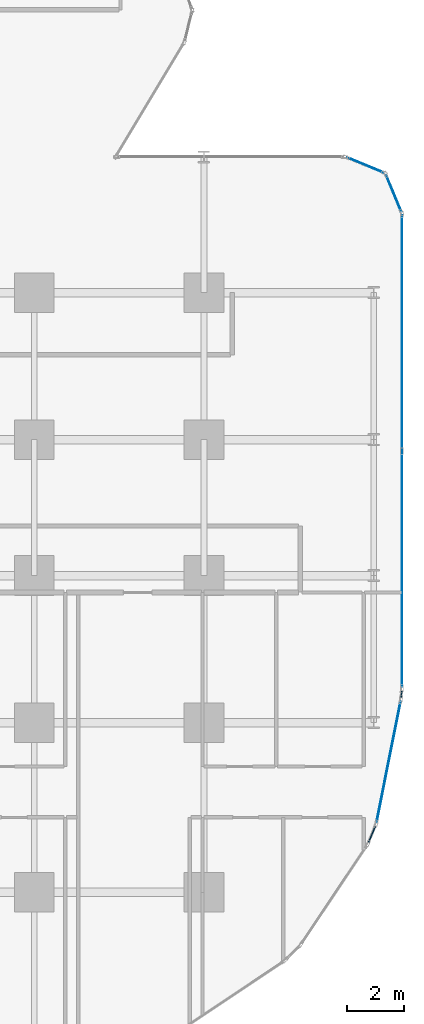
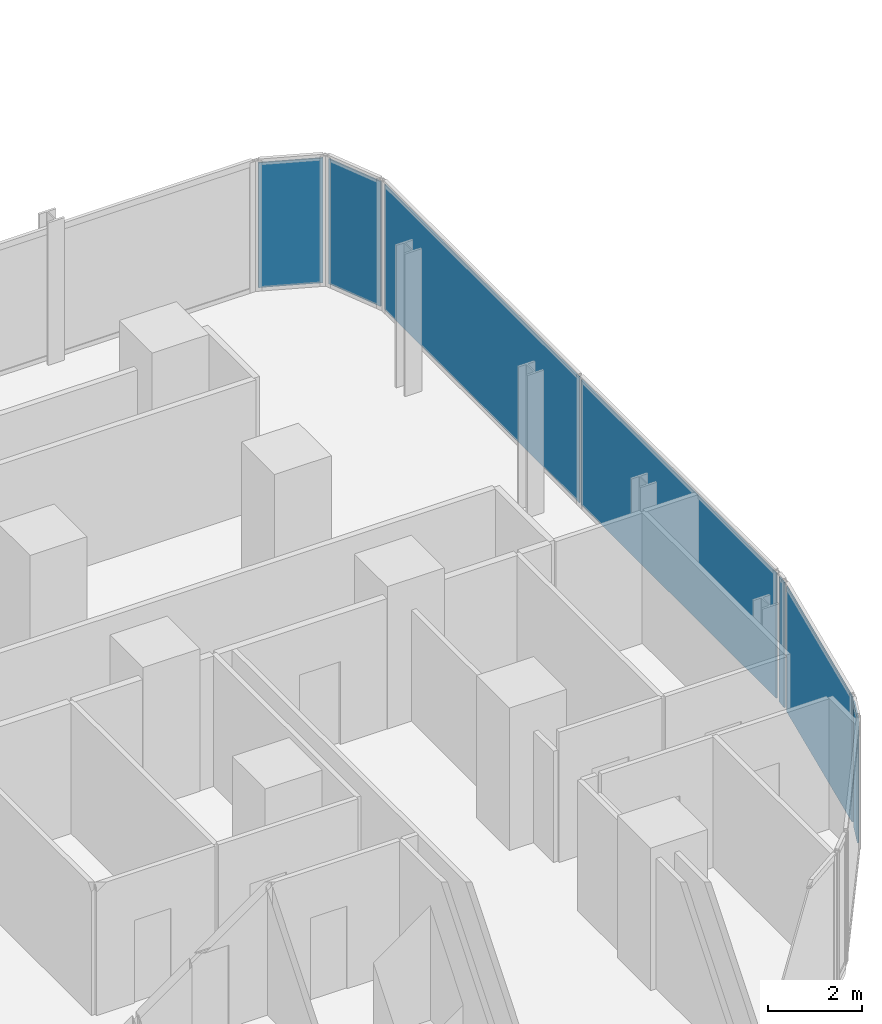
# One storey, part 25 of 33: 7 plates, 6 elements without a shape of their own.
"""IFC4 building model written with IfcOpenShell, lengths in metres."""

from ifc_helpers import new_model, si_unit, direction, frame, origin, origin_2d, place, context, subcontext, project, spatial, rectangle, extrude, material, layer, layer_set, type_object, element, aggregate, save


model = new_model("IFC4")

# Units and contexts
model_context = context("Model", 3, precision=1e-05, world=origin(), true_north=direction((0.0, 1.0)))
body_context = subcontext(model_context, "Body", "Model", "MODEL_VIEW")
ifc_project = project(units=[si_unit("LENGTHUNIT", "METRE"), si_unit("AREAUNIT", "SQUARE_METRE"), si_unit("VOLUMEUNIT", "CUBIC_METRE"), si_unit("PLANEANGLEUNIT", "RADIAN"), si_unit("MASSUNIT", "GRAM", prefix="KILO")], contexts=[model_context])

# Site, building, storey
site_placement = place(None, origin())
site = spatial("IfcSite", under=ifc_project, at=site_placement, CompositionType="ELEMENT")
building_placement = place(site_placement, origin())
building = spatial("IfcBuilding", under=site, at=building_placement, Name="Keshet Zoharim Tower", CompositionType="ELEMENT")
storey_placement = place(building_placement, frame((0.0, 0.0, 42.5)))
storey = spatial("IfcBuildingStorey", under=building, at=storey_placement, Name="L09", CompositionType="ELEMENT", Elevation=42.5)

# Curtain wall, plate
ifc_material_1 = material(Name="Aluminium 6063-T6", Category="aluminium")
ifc_layer_1 = layer(ifc_material_1, 0.179931640625)
ifc_layer_set_1 = layer_set([ifc_layer_1], Name="Aluminium 6063-T6")
curtain_wall_type_1 = type_object("IfcCurtainWallType", Name="CW-SYS-01", PredefinedType="NOTDEFINED", material=ifc_layer_set_1)
curtain_wall_1_placement = place(storey_placement, origin())
curtain_wall_1 = element("IfcCurtainWall", 1, at=curtain_wall_1_placement, inside=storey, type_object=curtain_wall_type_1, Name="L09 Unitised Curtain Wall 19", PredefinedType="NOTDEFINED")
ifc_material_2 = material(Name="Insulated Low-E Clear Glass", Category="glass")
ifc_layer_2 = layer(ifc_material_2, 0.035888671875)
ifc_layer_set_2 = layer_set([ifc_layer_2], Name="Insulated Low-E Clear Glass")
plate_type_1 = type_object("IfcPlateType", Name="CWP-01", PredefinedType="CURTAIN_PANEL", material=ifc_layer_set_2)
plate_1_placement = place(storey_placement, frame((68.9384765625, 8.75439453125, 0.06982421875), z_axis=(0.0, 0.0, 1.0), x_axis=(-0.383068349739, -0.923720000557, 0.0)))
plate_1 = element("IfcPlate", 2, at=plate_1_placement, type_object=plate_type_1, Name="CW-01 panel 1.1", PredefinedType="CURTAIN_PANEL", context=body_context, shape_type="SweptSolid", body=[
    extrude(rectangle(XDim=0.640625, YDim=0.035888671875, at=origin_2d()), origin(), (0.0, 0.0, 1.0), 3.2451171875),
])
aggregate(curtain_wall_1, [plate_1])

ifc_layer_3 = layer(ifc_material_1, 0.169921875)
ifc_layer_set_3 = layer_set([ifc_layer_3], Name="Aluminium 6063-T6")
curtain_wall_type_2 = type_object("IfcCurtainWallType", Name="CW-SYS-02", PredefinedType="NOTDEFINED", material=ifc_layer_set_3)
curtain_wall_2_placement = place(storey_placement, origin())
curtain_wall_2 = element("IfcCurtainWall", 3, at=curtain_wall_2_placement, inside=storey, type_object=curtain_wall_type_2, Name="L09 Unitised Curtain Wall 14", PredefinedType="NOTDEFINED")
ifc_layer_4 = layer(ifc_material_2, 0.031982421875)
ifc_layer_set_4 = layer_set([ifc_layer_4], Name="Insulated Low-E Clear Glass")
plate_type_2 = type_object("IfcPlateType", Name="CWP-02", PredefinedType="CURTAIN_PANEL", material=ifc_layer_set_4)
plate_2_placement = place(storey_placement, frame((68.70703125, 32.406982421875, 0.06982421875), z_axis=(0.0, 0.0, 1.0), x_axis=(0.92380975372, -0.382851849847, 0.0)))
plate_2 = element("IfcPlate", 4, at=plate_2_placement, type_object=plate_type_2, Name="CW-02 panel 1.1", PredefinedType="CURTAIN_PANEL", context=body_context, shape_type="SweptSolid", body=[
    extrude(rectangle(XDim=1.390625, YDim=0.031982421875, at=origin_2d()), origin(), (0.0, 0.0, 1.0), 3.2451171875),
])
aggregate(curtain_wall_2, [plate_2])

curtain_wall_3_placement = place(storey_placement, origin())
curtain_wall_3 = element("IfcCurtainWall", 5, at=curtain_wall_3_placement, inside=storey, type_object=curtain_wall_type_2, Name="L09 Unitised Curtain Wall 15", PredefinedType="NOTDEFINED")
plate_3_placement = place(storey_placement, frame((69.70703125, 31.406982421875, 0.06982421875), z_axis=(0.0, 0.0, 1.0), x_axis=(0.382851849847, -0.92380975372, 0.0)))
plate_3 = element("IfcPlate", 6, at=plate_3_placement, type_object=plate_type_2, Name="CW-02 panel 1.1", PredefinedType="CURTAIN_PANEL", context=body_context, shape_type="SweptSolid", body=[
    extrude(rectangle(XDim=1.390625, YDim=0.031982421875, at=origin_2d()), origin(), (0.0, 0.0, 1.0), 3.2451171875),
])
aggregate(curtain_wall_3, [plate_3])

# Curtain wall, plates
curtain_wall_4_placement = place(storey_placement, origin())
curtain_wall_4 = element("IfcCurtainWall", 7, at=curtain_wall_4_placement, inside=storey, type_object=curtain_wall_type_2, Name="L09 Unitised Curtain Wall 16", PredefinedType="NOTDEFINED")
plate_4_placement = place(storey_placement, frame((70.0, 26.481689453125, 0.06982421875), z_axis=(0.0, 0.0, 1.0), x_axis=(0.0, -1.0, 0.0)))
plate_4 = element("IfcPlate", 8, at=plate_4_placement, type_object=plate_type_2, Name="CW-02 panel 1.1", PredefinedType="CURTAIN_PANEL", context=body_context, shape_type="SweptSolid", body=[
    extrude(rectangle(XDim=8.29638671875, YDim=0.031982421875, at=origin_2d()), origin(), (0.0, 0.0, 1.0), 3.2451171875),
])
plate_5_placement = place(storey_placement, frame((70.0, 18.115234375, 0.06982421875), z_axis=(0.0, 0.0, 1.0), x_axis=(0.0, -1.0, 0.0)))
plate_5 = element("IfcPlate", 9, at=plate_5_placement, type_object=plate_type_2, Name="CW-02 panel 2.1", PredefinedType="CURTAIN_PANEL", context=body_context, shape_type="SweptSolid", body=[
    extrude(rectangle(XDim=8.29638671875, YDim=0.031982421875, at=origin_2d()), origin(), (0.0, 0.0, 1.0), 3.2451171875),
])
aggregate(curtain_wall_4, [plate_4, plate_5])

# Curtain wall, plate
curtain_wall_5_placement = place(storey_placement, origin())
curtain_wall_5 = element("IfcCurtainWall", 10, at=curtain_wall_5_placement, inside=storey, type_object=curtain_wall_type_2, Name="L09 Unitised Curtain Wall 17", PredefinedType="NOTDEFINED")
plate_6_placement = place(storey_placement, frame((69.98095703125, 13.701904296875, 0.06982421875), z_axis=(0.0, 0.0, 1.0), x_axis=(-0.096976648633, -0.995286657009, 0.0)))
plate_6 = element("IfcPlate", 11, at=plate_6_placement, type_object=plate_type_2, Name="CW-02 panel 1.1", PredefinedType="CURTAIN_PANEL", context=body_context, shape_type="SweptSolid", body=[
    extrude(rectangle(XDim=0.251953125, YDim=0.031982421875, at=origin_2d()), origin(), (0.0, 0.0, 1.0), 3.2451171875),
])
aggregate(curtain_wall_5, [plate_6])

curtain_wall_6_placement = place(storey_placement, origin())
curtain_wall_6 = element("IfcCurtainWall", 12, at=curtain_wall_6_placement, inside=storey, type_object=curtain_wall_type_2, Name="L09 Unitised Curtain Wall 18", PredefinedType="NOTDEFINED")
plate_7_placement = place(storey_placement, frame((69.52490234375, 11.31103515625, 0.06982421875), z_axis=(0.0, 0.0, 1.0), x_axis=(-0.195171279072, -0.98076917357, 0.0)))
plate_7 = element("IfcPlate", 13, at=plate_7_placement, type_object=plate_type_2, Name="CW-02 panel 1.1", PredefinedType="CURTAIN_PANEL", context=body_context, shape_type="SweptSolid", body=[
    extrude(rectangle(XDim=4.338134765625, YDim=0.031982421875, at=origin_2d()), origin(), (0.0, 0.0, 1.0), 3.2451171875),
])
aggregate(curtain_wall_6, [plate_7])

save(model, "model.ifc")
